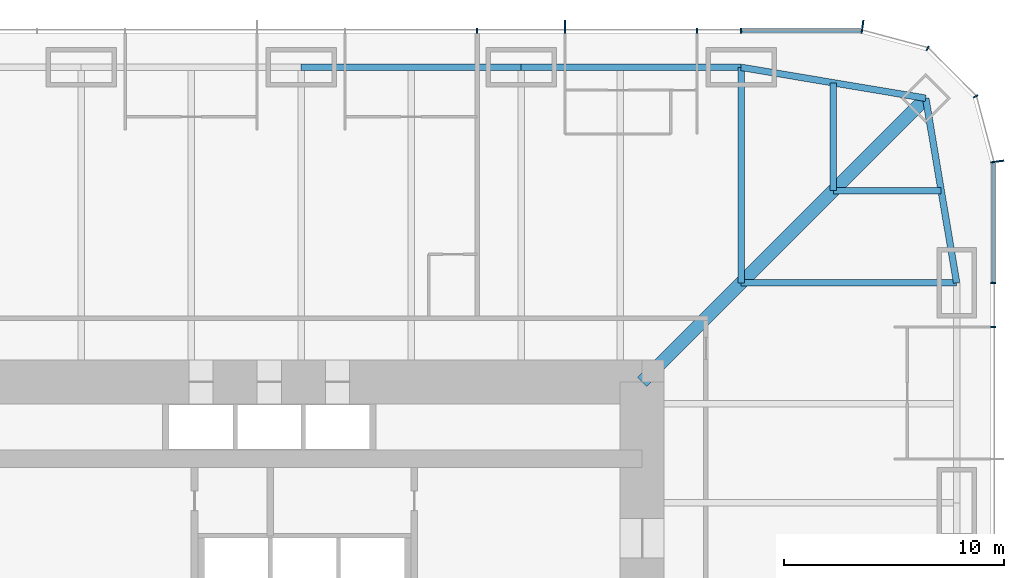
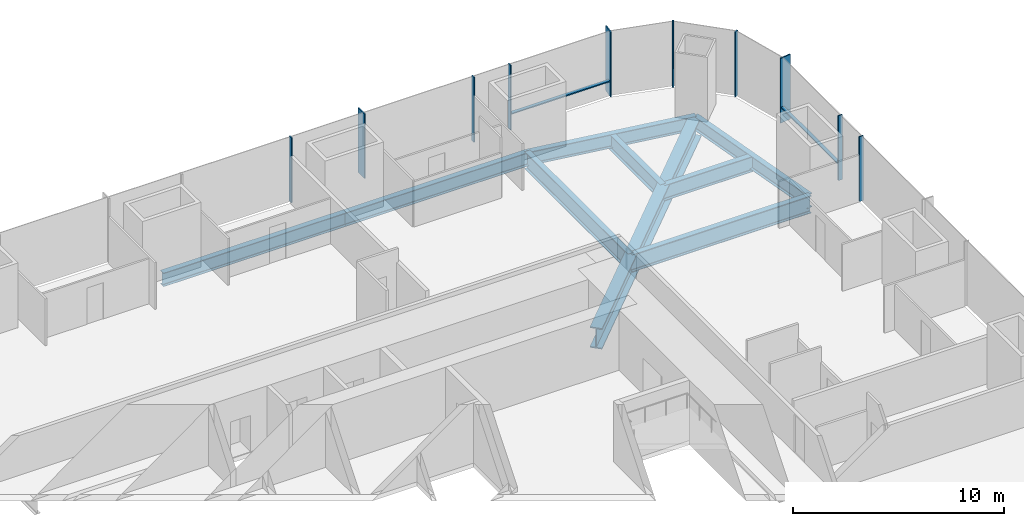
# One storey, part 9 of 16: 12 members, 9 beams, 3 elements without a shape of their own.
"""IFC4 building model written with IfcOpenShell, lengths in metres."""

from ifc_helpers import new_model, si_unit, direction, frame, origin, origin_2d, place, context, subcontext, project, spatial, rectangle, i_section, extrude, material, material_profile, profile_set, type_object, element, aggregate, save


model = new_model("IFC4")

# Units and contexts
model_context = context("Model", 3, precision=1e-05, world=origin(), true_north=direction((0.0, 1.0)))
body_context = subcontext(model_context, "Body", "Model", "MODEL_VIEW")
ifc_project = project(units=[si_unit("LENGTHUNIT", "METRE"), si_unit("AREAUNIT", "SQUARE_METRE"), si_unit("VOLUMEUNIT", "CUBIC_METRE"), si_unit("PLANEANGLEUNIT", "RADIAN"), si_unit("MASSUNIT", "GRAM", prefix="KILO")], contexts=[model_context])

# Site, building, storey
site_placement = place(None, origin())
site = spatial("IfcSite", under=ifc_project, at=site_placement, CompositionType="ELEMENT")
building_placement = place(site_placement, origin())
building = spatial("IfcBuilding", under=site, at=building_placement, Name="Khuree Lantern Residences", CompositionType="ELEMENT")
storey_placement = place(building_placement, frame((0.0, 0.0, 54.75)))
storey = spatial("IfcBuildingStorey", under=building, at=storey_placement, Name="L13", CompositionType="ELEMENT", Elevation=54.75)

# Beams
ifc_material_1 = material(Name="Steel S355", Category="steel")
ifc_material_profile_1 = material_profile(ifc_material_1, i_section(OverallWidth=0.300048828125, OverallDepth=0.889892578125, WebThickness=0.01611328125, FlangeThickness=0.030029296875, FilletRadius=0.030029296875, at=origin_2d()), Name="HE 900 A")
ifc_profile_set_1 = profile_set([ifc_material_profile_1], Name="Steel S355")
beam_type_1 = type_object("IfcBeamType", Name="B-13 SECONDARY BEAM HE 900 A", PredefinedType="BEAM", material=ifc_profile_set_1)
for number, where, z_axis, x_axis, name in (
    (1, (24.197021484375, 29.09716796875, -0.695068359375), (0.0, -1.0, 0.0), (1.0, 0.0, 0.0), "Secondary beam N5"),
    (2, (29.09716796875, 24.197021484375, -0.695068359375), (-1.0, 0.0, 0.0), (0.0, -1.0, 0.0), "Secondary beam E1"),
):
    element("IfcBeam", number, at=place(storey_placement, frame(where, z_axis=z_axis, x_axis=x_axis)), inside=storey, type_object=beam_type_1, Name=name, PredefinedType="BEAM", context=body_context, shape_type="SweptSolid", body=[
        extrude(i_section(OverallWidth=0.300048828125, OverallDepth=0.889892578125, WebThickness=0.01611328125, FlangeThickness=0.030029296875, FilletRadius=0.030029296875, at=origin_2d()), origin(), (0.0, 0.0, 1.0), 4.900146484375),
    ])
ifc_material_profile_2 = material_profile(ifc_material_1, i_section(OverallWidth=0.300048828125, OverallDepth=0.7900390625, WebThickness=0.014892578125, FlangeThickness=0.028076171875, FilletRadius=0.030029296875, at=origin_2d()), Name="HE 800 A")
ifc_profile_set_2 = profile_set([ifc_material_profile_2], Name="Steel S355")
beam_type_2 = type_object("IfcBeamType", Name="E-13 SPANDREL BEAM HE 800 A", PredefinedType="SPANDREL", material=ifc_profile_set_2)
for number, where, z_axis, x_axis, name in (
    (3, (0.0, 29.800048828125, -0.64501953125), (1.0, 0.0, 0.0), (0.0, 1.0, 0.0), "Spandrel beam N3"),
    (4, (10.0, 29.800048828125, -0.64501953125), (1.0, 0.0, 0.0), (0.0, 1.0, 0.0), "Spandrel beam N4"),
):
    element("IfcBeam", number, at=place(storey_placement, frame(where, z_axis=z_axis, x_axis=x_axis)), inside=storey, type_object=beam_type_2, Name=name, PredefinedType="SPANDREL", context=body_context, shape_type="SweptSolid", body=[
        extrude(i_section(OverallWidth=0.300048828125, OverallDepth=0.7900390625, WebThickness=0.014892578125, FlangeThickness=0.028076171875, FilletRadius=0.030029296875, at=origin_2d()), origin(), (0.0, 0.0, 1.0), 10.0),
    ])
for number, where, z_axis, x_axis, name in (
    (5, (20.0, 29.800048828125, -0.64501953125), (0.986260251158, -0.165199022349, 0.0), (0.165199022349, 0.986260251158, 0.0), "Spandrel beam N5"),
    (6, (28.39404296875, 28.39404296875, -0.64501953125), (0.165199022349, -0.986260251158, 0.0), (0.986260251158, 0.165199022349, 0.0), "Spandrel beam E1"),
):
    element("IfcBeam", number, at=place(storey_placement, frame(where, z_axis=z_axis, x_axis=x_axis)), inside=storey, type_object=beam_type_2, Name=name, PredefinedType="SPANDREL", context=body_context, shape_type="SweptSolid", body=[
        extrude(i_section(OverallWidth=0.300048828125, OverallDepth=0.7900390625, WebThickness=0.014892578125, FlangeThickness=0.028076171875, FilletRadius=0.030029296875, at=origin_2d()), origin(), (0.0, 0.0, 1.0), 8.510986328125),
    ])

# Curtain wall, member
ifc_material_2 = material(Name="Bronze anodised aluminium", Category="aluminium")
curtain_wall_type_1 = type_object("IfcCurtainWallType", Name="CW-T2 TOWER CORNER CURTAIN WALL", PredefinedType="USERDEFINED", material=ifc_material_2)
curtain_wall_1_placement = place(storey_placement, origin())
curtain_wall_1 = element("IfcCurtainWall", 7, at=curtain_wall_1_placement, inside=storey, type_object=curtain_wall_type_1, Name="L13 NORTH-EAST CORNER CURTAIN WALL", ObjectType="Faceted corner curtain wall", PredefinedType="USERDEFINED")
ifc_material_profile_3 = material_profile(ifc_material_2, rectangle(XDim=0.06494140625, YDim=0.60009765625, at=origin_2d()), Name="F1 65X600")
ifc_profile_set_3 = profile_set([ifc_material_profile_3], Name="Bronze anodised aluminium")
member_type_1 = type_object("IfcMemberType", Name="F1 BRONZE FIN MULLION TOWER 65X600", PredefinedType="MULLION", material=ifc_profile_set_3)
member_1_placement = place(storey_placement, frame((31.650146484375, 25.519775390625, 0.0), z_axis=(0.0, 0.0, 1.0), x_axis=(-0.130526257387, 0.991444852794, 0.0)))
member_1 = element("IfcMember", 8, at=member_1_placement, type_object=member_type_1, Name="L13 NORTH-EAST CORNER FIN MULLION 15", PredefinedType="MULLION", context=body_context, shape_type="SweptSolid", body=[
    extrude(rectangle(XDim=0.06494140625, YDim=0.60009765625, at=origin_2d()), origin(), (0.0, 0.0, 1.0), 3.75),
])

# Curtain wall, members
curtain_wall_type_2 = type_object("IfcCurtainWallType", Name="CW-T1 TOWER FACE CURTAIN WALL", PredefinedType="USERDEFINED", material=ifc_material_2)
curtain_wall_2_placement = place(storey_placement, origin())
curtain_wall_2 = element("IfcCurtainWall", 9, at=curtain_wall_2_placement, inside=storey, type_object=curtain_wall_type_2, Name="L13 NORTH FACE CURTAIN WALL", ObjectType="Stick-built curtain wall", PredefinedType="USERDEFINED")
member_2_placement = place(storey_placement, frame((25.519775390625, 31.650146484375, 0.0), z_axis=(0.0, 0.0, 1.0), x_axis=(-0.991444852794, 0.130526257387, 0.0)))
member_2 = element("IfcMember", 10, at=member_2_placement, type_object=member_type_1, Name="L13 NORTH FACE FIN MULLION 18", PredefinedType="MULLION", context=body_context, shape_type="SweptSolid", body=[
    extrude(rectangle(XDim=0.06494140625, YDim=0.60009765625, at=origin_2d()), origin(), (0.0, 0.0, 1.0), 3.75),
])
member_3_placement = place(storey_placement, frame((12.0, 31.64990234375, 0.0), z_axis=(0.0, 0.0, 1.0), x_axis=(-1.0, 0.0, 0.0)))
member_3 = element("IfcMember", 11, at=member_3_placement, type_object=member_type_1, Name="L13 NORTH FACE FIN MULLION 21", PredefinedType="MULLION", context=body_context, shape_type="SweptSolid", body=[
    extrude(rectangle(XDim=0.06494140625, YDim=0.60009765625, at=origin_2d()), origin(), (0.0, 0.0, 1.0), 3.75),
])

# Beams
ifc_material_profile_4 = material_profile(ifc_material_1, i_section(OverallWidth=0.302001953125, OverallDepth=1.008056640625, WebThickness=0.02099609375, FlangeThickness=0.0400390625, FilletRadius=0.030029296875, at=origin_2d()), Name="HE 1000 M")
ifc_profile_set_4 = profile_set([ifc_material_profile_4], Name="Steel S355")
beam_type_3 = type_object("IfcBeamType", Name="G-13 GIRDER HE 1000 M", PredefinedType="BEAM", material=ifc_profile_set_4)
for number, where, z_axis, x_axis, name in (
    (12, (20.0, 29.800048828125, -0.75390625), (0.0, -1.0, 0.0), (1.0, 0.0, 0.0), "Girder N5"),
    (13, (29.800048828125, 20.0, -0.75390625), (-1.0, 0.0, 0.0), (0.0, -1.0, 0.0), "Girder E1"),
):
    element("IfcBeam", number, at=place(storey_placement, frame(where, z_axis=z_axis, x_axis=x_axis)), inside=storey, type_object=beam_type_3, Name=name, PredefinedType="BEAM", context=body_context, shape_type="SweptSolid", body=[
        extrude(i_section(OverallWidth=0.302001953125, OverallDepth=1.008056640625, WebThickness=0.02099609375, FlangeThickness=0.0400390625, FilletRadius=0.030029296875, at=origin_2d()), origin(), (0.0, 0.0, 1.0), 9.800048828125),
    ])
ifc_material_profile_5 = material_profile(ifc_material_1, i_section(OverallWidth=0.60009765625, OverallDepth=1.199951171875, WebThickness=0.030029296875, FlangeThickness=0.06005859375, at=origin_2d()), Name="WELDED I 1200X600X30X60")
ifc_profile_set_5 = profile_set([ifc_material_profile_5], Name="Steel S355")
beam_type_4 = type_object("IfcBeamType", Name="GD-13 CORNER GIRDER WELDED I 1200X600X30X60", PredefinedType="BEAM", material=ifc_profile_set_5)
beam_placement = place(storey_placement, frame((28.39404296875, 28.39404296875, -0.85009765625), z_axis=(-0.707106781187, -0.707106781187, 0.0), x_axis=(0.707106781187, -0.707106781187, 0.0)))
element("IfcBeam", 14, at=beam_placement, inside=storey, type_object=beam_type_4, Name="Corner girder NE", PredefinedType="BEAM", context=body_context, shape_type="SweptSolid", body=[
    extrude(i_section(OverallWidth=0.60009765625, OverallDepth=1.199951171875, WebThickness=0.030029296875, FlangeThickness=0.06005859375, at=origin_2d()), origin(), (0.0, 0.0, 1.0), 18.23486328125),
])

# Curtain wall, members
curtain_wall_3_placement = place(storey_placement, origin())
curtain_wall_3 = element("IfcCurtainWall", 15, at=curtain_wall_3_placement, inside=storey, type_object=curtain_wall_type_2, Name="L13 EAST FACE CURTAIN WALL", ObjectType="Stick-built curtain wall", PredefinedType="USERDEFINED")
ifc_material_profile_6 = material_profile(ifc_material_2, rectangle(XDim=0.06494140625, YDim=0.219970703125, at=origin_2d()), Name="M1 65X220")
ifc_profile_set_6 = profile_set([ifc_material_profile_6], Name="Bronze anodised aluminium")
member_type_2 = type_object("IfcMemberType", Name="M1 BRONZE MULLION TOWER 65X220", PredefinedType="MULLION", material=ifc_profile_set_6)
member_4_placement = place(storey_placement, frame((31.4599609375, 18.0, 0.0), z_axis=(0.0, 0.0, 1.0), x_axis=(0.0, 1.0, 0.0)))
member_4 = element("IfcMember", 16, at=member_4_placement, type_object=member_type_2, Name="L13 EAST FACE MULLION 13", PredefinedType="MULLION", context=body_context, shape_type="SweptSolid", body=[
    extrude(rectangle(XDim=0.06494140625, YDim=0.219970703125, at=origin_2d()), origin(), (0.0, 0.0, 1.0), 3.75),
])
member_5_placement = place(storey_placement, frame((31.4599609375, 20.0, 0.0), z_axis=(0.0, 0.0, 1.0), x_axis=(0.0, 1.0, 0.0)))
member_5 = element("IfcMember", 17, at=member_5_placement, type_object=member_type_2, Name="L13 EAST FACE MULLION 14", PredefinedType="MULLION", context=body_context, shape_type="SweptSolid", body=[
    extrude(rectangle(XDim=0.06494140625, YDim=0.219970703125, at=origin_2d()), origin(), (0.0, 0.0, 1.0), 3.75),
])

# Member
member_6_placement = place(storey_placement, frame((30.66162109375, 28.47998046875, 0.0), z_axis=(0.0, 0.0, 1.0), x_axis=(-0.500000056923, 0.86602537092, 0.0)))
member_6 = element("IfcMember", 18, at=member_6_placement, type_object=member_type_2, Name="L13 NORTH-EAST CORNER MULLION 16", PredefinedType="MULLION", context=body_context, shape_type="SweptSolid", body=[
    extrude(rectangle(XDim=0.06494140625, YDim=0.219970703125, at=origin_2d()), origin(), (0.0, 0.0, 1.0), 3.75),
])

member_7_placement = place(storey_placement, frame((28.47998046875, 30.66162109375, 0.0), z_axis=(0.0, 0.0, 1.0), x_axis=(-0.86602537092, 0.500000056923, 0.0)))
member_7 = element("IfcMember", 19, at=member_7_placement, type_object=member_type_2, Name="L13 NORTH-EAST CORNER MULLION 17", PredefinedType="MULLION", context=body_context, shape_type="SweptSolid", body=[
    extrude(rectangle(XDim=0.06494140625, YDim=0.219970703125, at=origin_2d()), origin(), (0.0, 0.0, 1.0), 3.75),
])

aggregate(curtain_wall_1, [member_1, member_6, member_7])

member_8_placement = place(storey_placement, frame((20.0, 31.4599609375, 0.0), z_axis=(0.0, 0.0, 1.0), x_axis=(-1.0, 0.0, 0.0)))
member_8 = element("IfcMember", 20, at=member_8_placement, type_object=member_type_2, Name="L13 NORTH FACE MULLION 19", PredefinedType="MULLION", context=body_context, shape_type="SweptSolid", body=[
    extrude(rectangle(XDim=0.06494140625, YDim=0.219970703125, at=origin_2d()), origin(), (0.0, 0.0, 1.0), 3.75),
])

member_9_placement = place(storey_placement, frame((18.0, 31.4599609375, 0.0), z_axis=(0.0, 0.0, 1.0), x_axis=(-1.0, 0.0, 0.0)))
member_9 = element("IfcMember", 21, at=member_9_placement, type_object=member_type_2, Name="L13 NORTH FACE MULLION 20", PredefinedType="MULLION", context=body_context, shape_type="SweptSolid", body=[
    extrude(rectangle(XDim=0.06494140625, YDim=0.219970703125, at=origin_2d()), origin(), (0.0, 0.0, 1.0), 3.75),
])

member_10_placement = place(storey_placement, frame((8.0, 31.4599609375, 0.0), z_axis=(0.0, 0.0, 1.0), x_axis=(-1.0, 0.0, 0.0)))
member_10 = element("IfcMember", 22, at=member_10_placement, type_object=member_type_2, Name="L13 NORTH FACE MULLION 22", PredefinedType="MULLION", context=body_context, shape_type="SweptSolid", body=[
    extrude(rectangle(XDim=0.06494140625, YDim=0.219970703125, at=origin_2d()), origin(), (0.0, 0.0, 1.0), 3.75),
])

ifc_material_profile_7 = material_profile(ifc_material_2, rectangle(XDim=0.179931640625, YDim=0.06494140625, at=origin_2d()), Name="T1 180X65")
ifc_profile_set_7 = profile_set([ifc_material_profile_7], Name="Bronze anodised aluminium")
member_type_3 = type_object("IfcMemberType", Name="TRANSOM T1 TOWER 180X65", PredefinedType="USERDEFINED", material=ifc_profile_set_7)
member_11_placement = place(storey_placement, frame((31.469970703125, 20.032470703125, 0.89990234375), z_axis=(0.0, 1.0, 0.0), x_axis=(-1.0, 0.0, 0.0)))
member_11 = element("IfcMember", 23, at=member_11_placement, type_object=member_type_3, Name="L13 EAST FACE TRANSOM 14.1", ObjectType="Transom", PredefinedType="USERDEFINED", context=body_context, shape_type="SweptSolid", body=[
    extrude(rectangle(XDim=0.179931640625, YDim=0.06494140625, at=origin_2d()), origin(), (0.0, 0.0, 1.0), 5.4189453125),
])

aggregate(curtain_wall_3, [member_4, member_5, member_11])

member_12_placement = place(storey_placement, frame((25.451416015625, 31.469970703125, 0.89990234375), z_axis=(-1.0, 0.0, 0.0), x_axis=(0.0, -1.0, 0.0)))
member_12 = element("IfcMember", 24, at=member_12_placement, type_object=member_type_3, Name="L13 NORTH FACE TRANSOM 18.1", ObjectType="Transom", PredefinedType="USERDEFINED", context=body_context, shape_type="SweptSolid", body=[
    extrude(rectangle(XDim=0.179931640625, YDim=0.06494140625, at=origin_2d()), origin(), (0.0, 0.0, 1.0), 5.4189453125),
])

aggregate(curtain_wall_2, [member_2, member_8, member_9, member_3, member_10, member_12])

save(model, "model.ifc")
